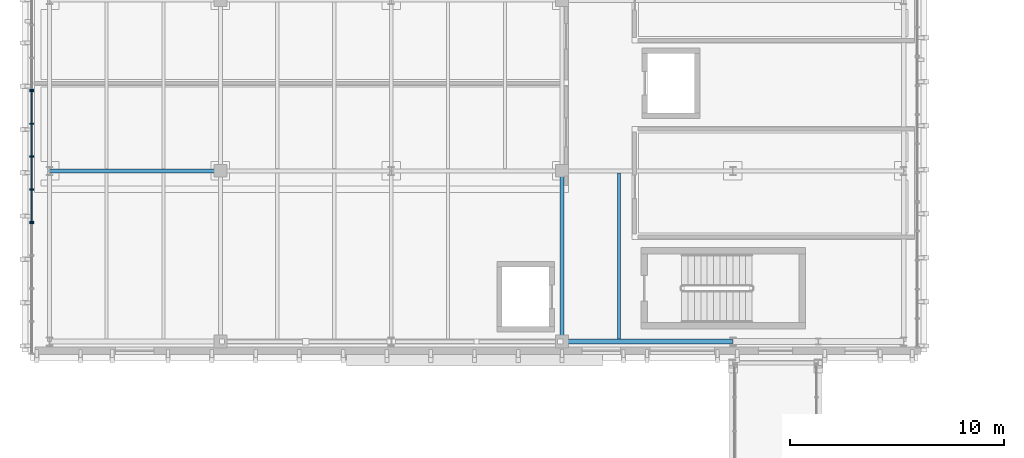
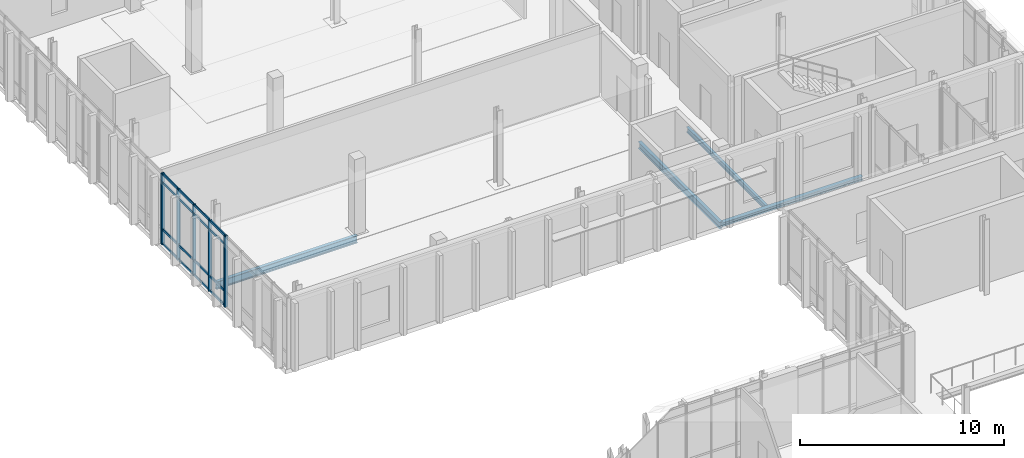
# One storey, part 21 of 100: 23 members, 4 beams, 3 elements without a shape of their own.
"""IFC4 building model written with IfcOpenShell, lengths in metres."""

from ifc_helpers import new_model, si_unit, direction, frame, origin, origin_2d, place, context, subcontext, project, spatial, rectangle, i_section, extrude, material, material_profile, profile_set, type_object, element, aggregate, save


model = new_model("IFC4")

# Units and contexts
model_context = context("Model", 3, precision=1e-05, world=origin(), true_north=direction((0.0, 1.0)))
body_context = subcontext(model_context, "Body", "Model", "MODEL_VIEW")
ifc_project = project(units=[si_unit("LENGTHUNIT", "METRE"), si_unit("AREAUNIT", "SQUARE_METRE"), si_unit("VOLUMEUNIT", "CUBIC_METRE"), si_unit("PLANEANGLEUNIT", "RADIAN"), si_unit("MASSUNIT", "GRAM", prefix="KILO")], contexts=[model_context])

# Site, building, storey
site_placement = place(None, origin())
site = spatial("IfcSite", under=ifc_project, at=site_placement, CompositionType="ELEMENT")
building_placement = place(site_placement, origin())
building = spatial("IfcBuilding", under=site, at=building_placement, Name="Cymarion Research Institute", CompositionType="ELEMENT")
storey_placement = place(building_placement, frame((0.0, 0.0, 9.300048828125)))
storey = spatial("IfcBuildingStorey", under=building, at=storey_placement, Name="L02", CompositionType="ELEMENT", Elevation=9.300048828125)

# Curtain wall, member
ifc_material_1 = material(Name="Anodised aluminium unitised curtain wall with Low-E glazing", Category="aluminium")
curtain_wall_type = type_object("IfcCurtainWallType", Name="UNITISED CURTAIN WALL CW22 6180X4250", PredefinedType="NOTDEFINED", material=ifc_material_1)
curtain_wall_1_placement = place(storey_placement, origin())
curtain_wall_1 = element("IfcCurtainWall", 1, at=curtain_wall_1_placement, inside=storey, type_object=curtain_wall_type, Name="L02 V4 unitised curtain wall CW22 #105", PredefinedType="NOTDEFINED")
ifc_material_2 = material(Name="Anodised aluminium framing", Category="aluminium")
ifc_material_profile_1 = material_profile(ifc_material_2, rectangle(XDim=0.06005859375, YDim=0.179931640625, at=origin_2d()), Name="ALU MULLION 60x180")
ifc_profile_set_1 = profile_set([ifc_material_profile_1], Name="Anodised aluminium framing")
member_type_1 = type_object("IfcMemberType", Name="CURTAIN WALL MULLION ML01 60X180", PredefinedType="MULLION", material=ifc_profile_set_1)
member_1_placement = place(storey_placement, frame((5.77001953125, 59.28125, 0.0), z_axis=(0.0, 0.0, 1.0), x_axis=(0.0, -1.0, 0.0)))
member_1 = element("IfcMember", 2, at=member_1_placement, type_object=member_type_1, Name="CW22 mullion 5", PredefinedType="MULLION", context=body_context, shape_type="SweptSolid", body=[
    extrude(rectangle(XDim=0.06005859375, YDim=0.179931640625, at=origin_2d()), origin(), (0.0, 0.0, 1.0), 4.25),
])
aggregate(curtain_wall_1, [member_1])

# Curtain wall, members
curtain_wall_2_placement = place(storey_placement, origin())
curtain_wall_2 = element("IfcCurtainWall", 3, at=curtain_wall_2_placement, inside=storey, type_object=curtain_wall_type, Name="L02 V4 unitised curtain wall CW22 #106", PredefinedType="NOTDEFINED")
member_2_placement = place(storey_placement, frame((5.77001953125, 59.22119140625, 0.0), z_axis=(0.0, 0.0, 1.0), x_axis=(0.0, -1.0, 0.0)))
member_2 = element("IfcMember", 4, at=member_2_placement, type_object=member_type_1, Name="CW22 mullion 1", PredefinedType="MULLION", context=body_context, shape_type="SweptSolid", body=[
    extrude(rectangle(XDim=0.06005859375, YDim=0.179931640625, at=origin_2d()), origin(), (0.0, 0.0, 1.0), 4.25),
])
member_3_placement = place(storey_placement, frame((5.77001953125, 57.707275390625, 0.0), z_axis=(0.0, 0.0, 1.0), x_axis=(0.0, -1.0, 0.0)))
member_3 = element("IfcMember", 5, at=member_3_placement, type_object=member_type_1, Name="CW22 mullion 2", PredefinedType="MULLION", context=body_context, shape_type="SweptSolid", body=[
    extrude(rectangle(XDim=0.06005859375, YDim=0.179931640625, at=origin_2d()), origin(), (0.0, 0.0, 1.0), 4.25),
])
member_4_placement = place(storey_placement, frame((5.77001953125, 56.163330078125, 0.0), z_axis=(0.0, 0.0, 1.0), x_axis=(0.0, -1.0, 0.0)))
member_4 = element("IfcMember", 6, at=member_4_placement, type_object=member_type_1, Name="CW22 mullion 3", PredefinedType="MULLION", context=body_context, shape_type="SweptSolid", body=[
    extrude(rectangle(XDim=0.06005859375, YDim=0.179931640625, at=origin_2d()), origin(), (0.0, 0.0, 1.0), 4.25),
])
member_5_placement = place(storey_placement, frame((5.77001953125, 54.619384765625, 0.0), z_axis=(0.0, 0.0, 1.0), x_axis=(0.0, -1.0, 0.0)))
member_5 = element("IfcMember", 7, at=member_5_placement, type_object=member_type_1, Name="CW22 mullion 4", PredefinedType="MULLION", context=body_context, shape_type="SweptSolid", body=[
    extrude(rectangle(XDim=0.06005859375, YDim=0.179931640625, at=origin_2d()), origin(), (0.0, 0.0, 1.0), 4.25),
])
member_6_placement = place(storey_placement, frame((5.77001953125, 53.105712890625, 0.0), z_axis=(0.0, 0.0, 1.0), x_axis=(0.0, -1.0, 0.0)))
member_6 = element("IfcMember", 8, at=member_6_placement, type_object=member_type_1, Name="CW22 mullion 5", PredefinedType="MULLION", context=body_context, shape_type="SweptSolid", body=[
    extrude(rectangle(XDim=0.06005859375, YDim=0.179931640625, at=origin_2d()), origin(), (0.0, 0.0, 1.0), 4.25),
])

# Curtain wall, member
curtain_wall_3_placement = place(storey_placement, origin())
curtain_wall_3 = element("IfcCurtainWall", 9, at=curtain_wall_3_placement, inside=storey, type_object=curtain_wall_type, Name="L02 V4 unitised curtain wall CW22 #107", PredefinedType="NOTDEFINED")
member_7_placement = place(storey_placement, frame((5.77001953125, 53.045654296875, 0.0), z_axis=(0.0, 0.0, 1.0), x_axis=(0.0, -1.0, 0.0)))
member_7 = element("IfcMember", 10, at=member_7_placement, type_object=member_type_1, Name="CW22 mullion 1", PredefinedType="MULLION", context=body_context, shape_type="SweptSolid", body=[
    extrude(rectangle(XDim=0.06005859375, YDim=0.179931640625, at=origin_2d()), origin(), (0.0, 0.0, 1.0), 4.25),
])
aggregate(curtain_wall_3, [member_7])

# Member
ifc_material_profile_2 = material_profile(ifc_material_2, rectangle(XDim=0.06005859375, YDim=0.14990234375, at=origin_2d()), Name="ALU TRANSOM 60x150")
ifc_profile_set_2 = profile_set([ifc_material_profile_2], Name="Anodised aluminium framing")
member_type_2 = type_object("IfcMemberType", Name="CURTAIN WALL TRANSOM TR01 60X150", PredefinedType="USERDEFINED", material=ifc_profile_set_2)
member_8_placement = place(storey_placement, frame((5.77001953125, 59.191162109375, 0.030029296875), z_axis=(0.0, -1.0, 0.0), x_axis=(1.0, 0.0, 0.0)))
member_8 = element("IfcMember", 11, at=member_8_placement, type_object=member_type_2, Name="CW22 transom 1.1", ObjectType="TRANSOM", PredefinedType="USERDEFINED", context=body_context, shape_type="SweptSolid", body=[
    extrude(rectangle(XDim=0.06005859375, YDim=0.14990234375, at=origin_2d()), origin(), (0.0, 0.0, 1.0), 1.453857421875),
])

member_9_placement = place(storey_placement, frame((5.77001953125, 59.191162109375, 0.89990234375), z_axis=(0.0, -1.0, 0.0), x_axis=(1.0, 0.0, 0.0)))
member_9 = element("IfcMember", 12, at=member_9_placement, type_object=member_type_2, Name="CW22 transom 1.2", ObjectType="TRANSOM", PredefinedType="USERDEFINED", context=body_context, shape_type="SweptSolid", body=[
    extrude(rectangle(XDim=0.06005859375, YDim=0.14990234375, at=origin_2d()), origin(), (0.0, 0.0, 1.0), 1.453857421875),
])

member_10_placement = place(storey_placement, frame((5.77001953125, 59.191162109375, 3.699951171875), z_axis=(0.0, -1.0, 0.0), x_axis=(1.0, 0.0, 0.0)))
member_10 = element("IfcMember", 13, at=member_10_placement, type_object=member_type_2, Name="CW22 transom 1.3", ObjectType="TRANSOM", PredefinedType="USERDEFINED", context=body_context, shape_type="SweptSolid", body=[
    extrude(rectangle(XDim=0.06005859375, YDim=0.14990234375, at=origin_2d()), origin(), (0.0, 0.0, 1.0), 1.453857421875),
])

member_11_placement = place(storey_placement, frame((5.77001953125, 59.191162109375, 4.219970703125), z_axis=(0.0, -1.0, 0.0), x_axis=(1.0, 0.0, 0.0)))
member_11 = element("IfcMember", 14, at=member_11_placement, type_object=member_type_2, Name="CW22 transom 1.4", ObjectType="TRANSOM", PredefinedType="USERDEFINED", context=body_context, shape_type="SweptSolid", body=[
    extrude(rectangle(XDim=0.06005859375, YDim=0.14990234375, at=origin_2d()), origin(), (0.0, 0.0, 1.0), 1.453857421875),
])

member_12_placement = place(storey_placement, frame((5.77001953125, 57.67724609375, 0.030029296875), z_axis=(0.0, -1.0, 0.0), x_axis=(1.0, 0.0, 0.0)))
member_12 = element("IfcMember", 15, at=member_12_placement, type_object=member_type_2, Name="CW22 transom 2.1", ObjectType="TRANSOM", PredefinedType="USERDEFINED", context=body_context, shape_type="SweptSolid", body=[
    extrude(rectangle(XDim=0.06005859375, YDim=0.14990234375, at=origin_2d()), origin(), (0.0, 0.0, 1.0), 1.48388671875),
])

member_13_placement = place(storey_placement, frame((5.77001953125, 57.67724609375, 0.89990234375), z_axis=(0.0, -1.0, 0.0), x_axis=(1.0, 0.0, 0.0)))
member_13 = element("IfcMember", 16, at=member_13_placement, type_object=member_type_2, Name="CW22 transom 2.2", ObjectType="TRANSOM", PredefinedType="USERDEFINED", context=body_context, shape_type="SweptSolid", body=[
    extrude(rectangle(XDim=0.06005859375, YDim=0.14990234375, at=origin_2d()), origin(), (0.0, 0.0, 1.0), 1.48388671875),
])

member_14_placement = place(storey_placement, frame((5.77001953125, 57.67724609375, 3.699951171875), z_axis=(0.0, -1.0, 0.0), x_axis=(1.0, 0.0, 0.0)))
member_14 = element("IfcMember", 17, at=member_14_placement, type_object=member_type_2, Name="CW22 transom 2.3", ObjectType="TRANSOM", PredefinedType="USERDEFINED", context=body_context, shape_type="SweptSolid", body=[
    extrude(rectangle(XDim=0.06005859375, YDim=0.14990234375, at=origin_2d()), origin(), (0.0, 0.0, 1.0), 1.48388671875),
])

member_15_placement = place(storey_placement, frame((5.77001953125, 57.67724609375, 4.219970703125), z_axis=(0.0, -1.0, 0.0), x_axis=(1.0, 0.0, 0.0)))
member_15 = element("IfcMember", 18, at=member_15_placement, type_object=member_type_2, Name="CW22 transom 2.4", ObjectType="TRANSOM", PredefinedType="USERDEFINED", context=body_context, shape_type="SweptSolid", body=[
    extrude(rectangle(XDim=0.06005859375, YDim=0.14990234375, at=origin_2d()), origin(), (0.0, 0.0, 1.0), 1.48388671875),
])

member_16_placement = place(storey_placement, frame((5.77001953125, 56.13330078125, 0.030029296875), z_axis=(0.0, -1.0, 0.0), x_axis=(1.0, 0.0, 0.0)))
member_16 = element("IfcMember", 19, at=member_16_placement, type_object=member_type_2, Name="CW22 transom 3.1", ObjectType="TRANSOM", PredefinedType="USERDEFINED", context=body_context, shape_type="SweptSolid", body=[
    extrude(rectangle(XDim=0.06005859375, YDim=0.14990234375, at=origin_2d()), origin(), (0.0, 0.0, 1.0), 1.48388671875),
])

member_17_placement = place(storey_placement, frame((5.77001953125, 56.13330078125, 0.89990234375), z_axis=(0.0, -1.0, 0.0), x_axis=(1.0, 0.0, 0.0)))
member_17 = element("IfcMember", 20, at=member_17_placement, type_object=member_type_2, Name="CW22 transom 3.2", ObjectType="TRANSOM", PredefinedType="USERDEFINED", context=body_context, shape_type="SweptSolid", body=[
    extrude(rectangle(XDim=0.06005859375, YDim=0.14990234375, at=origin_2d()), origin(), (0.0, 0.0, 1.0), 1.48388671875),
])

member_18_placement = place(storey_placement, frame((5.77001953125, 56.13330078125, 3.699951171875), z_axis=(0.0, -1.0, 0.0), x_axis=(1.0, 0.0, 0.0)))
member_18 = element("IfcMember", 21, at=member_18_placement, type_object=member_type_2, Name="CW22 transom 3.3", ObjectType="TRANSOM", PredefinedType="USERDEFINED", context=body_context, shape_type="SweptSolid", body=[
    extrude(rectangle(XDim=0.06005859375, YDim=0.14990234375, at=origin_2d()), origin(), (0.0, 0.0, 1.0), 1.48388671875),
])

member_19_placement = place(storey_placement, frame((5.77001953125, 56.13330078125, 4.219970703125), z_axis=(0.0, -1.0, 0.0), x_axis=(1.0, 0.0, 0.0)))
member_19 = element("IfcMember", 22, at=member_19_placement, type_object=member_type_2, Name="CW22 transom 3.4", ObjectType="TRANSOM", PredefinedType="USERDEFINED", context=body_context, shape_type="SweptSolid", body=[
    extrude(rectangle(XDim=0.06005859375, YDim=0.14990234375, at=origin_2d()), origin(), (0.0, 0.0, 1.0), 1.48388671875),
])

member_20_placement = place(storey_placement, frame((5.77001953125, 54.589599609375, 0.030029296875), z_axis=(0.0, -1.0, 0.0), x_axis=(1.0, 0.0, 0.0)))
member_20 = element("IfcMember", 23, at=member_20_placement, type_object=member_type_2, Name="CW22 transom 4.1", ObjectType="TRANSOM", PredefinedType="USERDEFINED", context=body_context, shape_type="SweptSolid", body=[
    extrude(rectangle(XDim=0.06005859375, YDim=0.14990234375, at=origin_2d()), origin(), (0.0, 0.0, 1.0), 1.4541015625),
])

member_21_placement = place(storey_placement, frame((5.77001953125, 54.589599609375, 0.89990234375), z_axis=(0.0, -1.0, 0.0), x_axis=(1.0, 0.0, 0.0)))
member_21 = element("IfcMember", 24, at=member_21_placement, type_object=member_type_2, Name="CW22 transom 4.2", ObjectType="TRANSOM", PredefinedType="USERDEFINED", context=body_context, shape_type="SweptSolid", body=[
    extrude(rectangle(XDim=0.06005859375, YDim=0.14990234375, at=origin_2d()), origin(), (0.0, 0.0, 1.0), 1.4541015625),
])

member_22_placement = place(storey_placement, frame((5.77001953125, 54.589599609375, 3.699951171875), z_axis=(0.0, -1.0, 0.0), x_axis=(1.0, 0.0, 0.0)))
member_22 = element("IfcMember", 25, at=member_22_placement, type_object=member_type_2, Name="CW22 transom 4.3", ObjectType="TRANSOM", PredefinedType="USERDEFINED", context=body_context, shape_type="SweptSolid", body=[
    extrude(rectangle(XDim=0.06005859375, YDim=0.14990234375, at=origin_2d()), origin(), (0.0, 0.0, 1.0), 1.4541015625),
])

member_23_placement = place(storey_placement, frame((5.77001953125, 54.589599609375, 4.219970703125), z_axis=(0.0, -1.0, 0.0), x_axis=(1.0, 0.0, 0.0)))
member_23 = element("IfcMember", 26, at=member_23_placement, type_object=member_type_2, Name="CW22 transom 4.4", ObjectType="TRANSOM", PredefinedType="USERDEFINED", context=body_context, shape_type="SweptSolid", body=[
    extrude(rectangle(XDim=0.06005859375, YDim=0.14990234375, at=origin_2d()), origin(), (0.0, 0.0, 1.0), 1.4541015625),
])

aggregate(curtain_wall_2, [member_2, member_3, member_4, member_5, member_6, member_8, member_9, member_10, member_11, member_12, member_13, member_14, member_15, member_16, member_17, member_18, member_19, member_20, member_21, member_22, member_23])

# Beams
ifc_material_3 = material(Name="Steel S355", Category="steel")
ifc_material_profile_3 = material_profile(ifc_material_3, i_section(OverallWidth=0.18994140625, OverallDepth=0.449951171875, WebThickness=0.009521484375, FlangeThickness=0.0146484375, FilletRadius=0.02099609375, at=origin_2d()), Name="IPE 450")
ifc_profile_set_3 = profile_set([ifc_material_profile_3], Name="Steel S355")
beam_type_1 = type_object("IfcBeamType", Name="PRIMARY GIRDER BM04 IPE 450", PredefinedType="BEAM", material=ifc_profile_set_3)
beam_1_placement = place(storey_placement, frame((6.60595703125, 55.5, -0.47509765625), z_axis=(1.0, 0.0, 0.0), x_axis=(0.0, 1.0, 0.0)))
element("IfcBeam", 27, at=beam_1_placement, inside=storey, type_object=beam_type_1, Name="L02 V4 girder BM04 #1034", PredefinedType="BEAM", context=body_context, shape_type="SweptSolid", body=[
    extrude(i_section(OverallWidth=0.18994140625, OverallDepth=0.449951171875, WebThickness=0.009521484375, FlangeThickness=0.0146484375, FilletRadius=0.02099609375, at=origin_2d()), origin(), (0.0, 0.0, 1.0), 7.988037109375),
])
ifc_material_profile_4 = material_profile(ifc_material_3, i_section(OverallWidth=0.179931640625, OverallDepth=0.39990234375, WebThickness=0.008544921875, FlangeThickness=0.013427734375, FilletRadius=0.02099609375, at=origin_2d()), Name="IPE 400")
ifc_profile_set_4 = profile_set([ifc_material_profile_4], Name="Steel S355")
beam_type_2 = type_object("IfcBeamType", Name="PRIMARY GIRDER BM05 IPE 400", PredefinedType="BEAM", material=ifc_profile_set_4)
beam_2_placement = place(storey_placement, frame((30.60009765625, 47.506103515625, -0.449951171875), z_axis=(0.0, 1.0, 0.0), x_axis=(-1.0, 0.0, 0.0)))
element("IfcBeam", 28, at=beam_2_placement, inside=storey, type_object=beam_type_2, Name="L02 V4 girder BM05 #1066", PredefinedType="BEAM", context=body_context, shape_type="SweptSolid", body=[
    extrude(i_section(OverallWidth=0.179931640625, OverallDepth=0.39990234375, WebThickness=0.008544921875, FlangeThickness=0.013427734375, FilletRadius=0.02099609375, at=origin_2d()), origin(), (0.0, 0.0, 1.0), 7.98779296875),
])
ifc_material_profile_5 = material_profile(ifc_material_3, i_section(OverallWidth=0.14990234375, OverallDepth=0.300048828125, WebThickness=0.007080078125, FlangeThickness=0.0107421875, FilletRadius=0.014892578125, at=origin_2d()), Name="IPE 300")
ifc_profile_set_5 = profile_set([ifc_material_profile_5], Name="Steel S355")
beam_type_3 = type_object("IfcBeamType", Name="SECONDARY JOIST JS02 IPE 300", PredefinedType="JOIST", material=ifc_profile_set_5)
beam_3_placement = place(storey_placement, frame((33.2666015625, 47.6240234375, -0.400146484375), z_axis=(0.0, 1.0, 0.0), x_axis=(-1.0, 0.0, 0.0)))
element("IfcBeam", 29, at=beam_3_placement, inside=storey, type_object=beam_type_3, Name="L02 V4 secondary joist JS02 #1081", PredefinedType="JOIST", context=body_context, shape_type="SweptSolid", body=[
    extrude(i_section(OverallWidth=0.14990234375, OverallDepth=0.300048828125, WebThickness=0.007080078125, FlangeThickness=0.0107421875, FilletRadius=0.014892578125, at=origin_2d()), origin(), (0.0, 0.0, 1.0), 7.77685546875),
])
ifc_material_profile_6 = material_profile(ifc_material_3, i_section(OverallWidth=0.239990234375, OverallDepth=0.22998046875, WebThickness=0.007568359375, FlangeThickness=0.011962890625, FilletRadius=0.02099609375, at=origin_2d()), Name="HEA 240")
ifc_profile_set_6 = profile_set([ifc_material_profile_6], Name="Steel S355")
beam_type_4 = type_object("IfcBeamType", Name="SPANDREL BEAM SPB03 HEA 240", PredefinedType="SPANDREL", material=ifc_profile_set_6)
beam_4_placement = place(storey_placement, frame((30.60595703125, 47.5, -0.364990234375), z_axis=(1.0, 0.0, 0.0), x_axis=(0.0, 1.0, 0.0)))
element("IfcBeam", 30, at=beam_4_placement, inside=storey, type_object=beam_type_4, Name="L02 V4 girder SPB03 #1031", PredefinedType="SPANDREL", context=body_context, shape_type="SweptSolid", body=[
    extrude(i_section(OverallWidth=0.239990234375, OverallDepth=0.22998046875, WebThickness=0.007568359375, FlangeThickness=0.011962890625, FilletRadius=0.02099609375, at=origin_2d()), origin(), (0.0, 0.0, 1.0), 7.988037109375),
])

save(model, "model.ifc")
